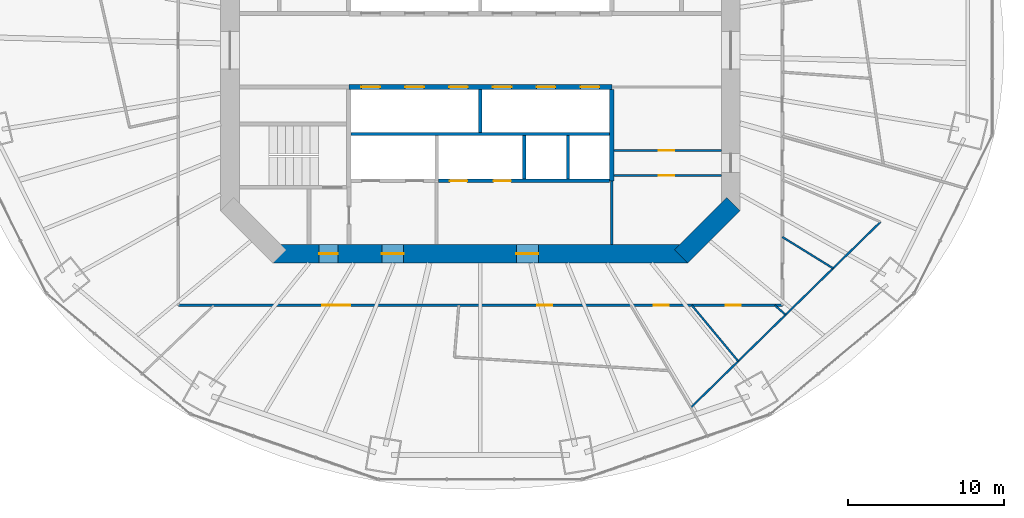
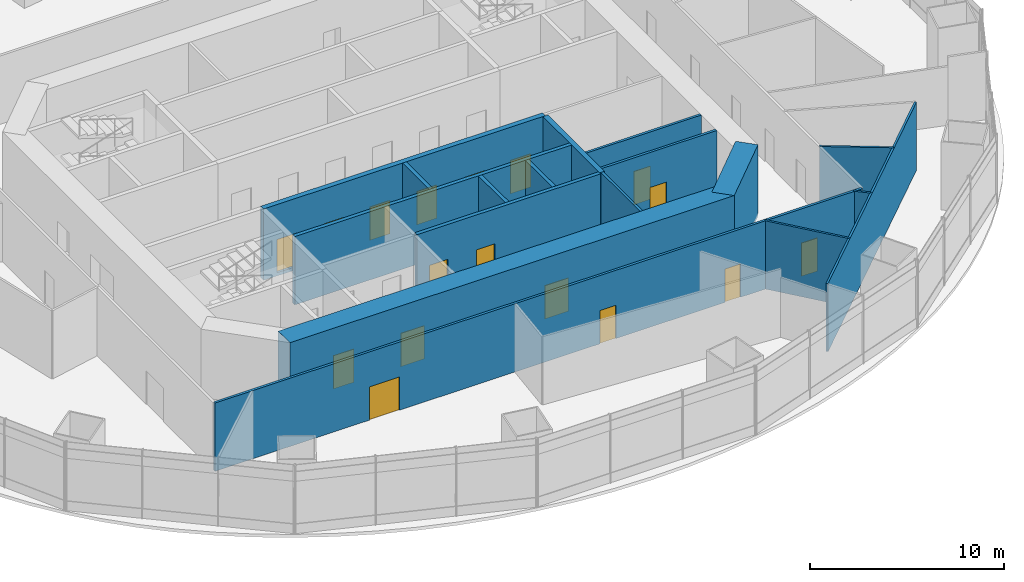
# One storey, part 14 of 17: 17 doors, 17 walls, 17 openings.
"""IFC4 building model written with IfcOpenShell, lengths in metres."""

import ifcopenshell
import ifcopenshell.guid

model = None  # the IFC model being written
_history = None  # IfcOwnerHistory: only IFC2X3 demands one
_inside = {}  # id of a spatial element -> (the spatial element, [elements in it])
_under = {}  # id of a project, library or spatial element -> (it, [spatial elements below it])
_declared = {}  # id of a project -> (the project, [libraries it declares])
_typed = {}  # id of a type object -> (the type object, [elements of that type])
_made_of = {}  # id of a material, layer set ... -> (it, [elements and type objects made of it])


def new_model(schema):
    """Start an empty IFC model of exactly this schema.

    Asked for "IFC4X3", IfcOpenShell would pick the latest addendum, in which some entities
    have other attributes; the version numbers below select the first issue.
    IFC2X3 requires an IfcOwnerHistory on every rooted entity: one is made here for all.
    """
    global model, _history
    if schema == "IFC4X3":
        model = ifcopenshell.file(schema_version=(4, 3, 0, 0))
    else:
        model = ifcopenshell.file(schema=schema)
    _inside.clear()
    _under.clear()
    _declared.clear()
    _typed.clear()
    _made_of.clear()
    _history = None
    if model.schema == "IFC2X3":
        org = make("IfcOrganization", Name="unknown")
        user = make(
            "IfcPersonAndOrganization",
            ThePerson=make("IfcPerson", FamilyName="unknown"),
            TheOrganization=org,
        )
        app = make(
            "IfcApplication",
            ApplicationDeveloper=org,
            Version="unknown",
            ApplicationFullName="unknown",
            ApplicationIdentifier="unknown",
        )
        _history = make(
            "IfcOwnerHistory",
            OwningUser=user,
            OwningApplication=app,
            ChangeAction="ADDED",
            CreationDate=0,
        )
    return model


def make(cls, **values):
    """One entity of the class cls with the attributes given. An attribute that is None is left unset."""
    return model.create_entity(
        cls, **{name: value for name, value in values.items() if value is not None}
    )


def rooted(cls, **values):
    """An entity with a GlobalId (a new one), such as an element, a storey or a relation."""
    return make(cls, GlobalId=ifcopenshell.guid.new(), OwnerHistory=_history, **values)


def si_unit(unit_type, name, prefix=None):
    """IfcSIUnit, for example si_unit("LENGTHUNIT", "METRE", prefix="MILLI")."""
    return make("IfcSIUnit", UnitType=unit_type, Prefix=prefix, Name=name)


def assignment(units):
    """IfcUnitAssignment: the units of a project."""
    return None if units is None else make("IfcUnitAssignment", Units=units)


def point(xyz):
    """IfcCartesianPoint."""
    return None if xyz is None else make("IfcCartesianPoint", Coordinates=xyz)


def direction(xyz):
    """IfcDirection."""
    return None if xyz is None else make("IfcDirection", DirectionRatios=xyz)


def frame(location, z_axis=None, x_axis=None):
    """IfcAxis2Placement3D, a coordinate frame: its origin and axes. An axis left out is left unset."""
    return make(
        "IfcAxis2Placement3D",
        Location=point(location),
        Axis=direction(z_axis),
        RefDirection=direction(x_axis),
    )


def frame_2d(location, x_axis=None):
    """IfcAxis2Placement2D, a coordinate frame in the plane: its origin and x axis."""
    return make(
        "IfcAxis2Placement2D", Location=point(location), RefDirection=direction(x_axis)
    )


def origin():
    """The frame at (0, 0, 0) with its axes left unset."""
    return frame((0.0, 0.0, 0.0))


def place(relative_to, where):
    """IfcLocalPlacement: puts the frame where relative to a parent placement (None: the world)."""
    return make(
        "IfcLocalPlacement", PlacementRelTo=relative_to, RelativePlacement=where
    )


def context(
    kind, dimensions, precision=None, world=None, true_north=None, identifier=None
):
    """IfcGeometricRepresentationContext, for example the 3D "Model" context."""
    return make(
        "IfcGeometricRepresentationContext",
        ContextIdentifier=identifier,
        ContextType=kind,
        CoordinateSpaceDimension=dimensions,
        Precision=precision,
        WorldCoordinateSystem=world,
        TrueNorth=true_north,
    )


def subcontext(parent, identifier, kind, view, scale=None):
    """IfcGeometricRepresentationSubContext, for example "Body" below "Model"."""
    return make(
        "IfcGeometricRepresentationSubContext",
        ContextIdentifier=identifier,
        ContextType=kind,
        ParentContext=parent,
        TargetScale=scale,
        TargetView=view,
    )


def project(units=None, contexts=None):
    """IfcProject with its units and contexts."""
    return rooted(
        "IfcProject",
        Name="project",
        RepresentationContexts=contexts,
        UnitsInContext=assignment(units),
    )


def spatial(cls, under=None, at=None, **own):
    """A site, building, storey or space (cls), placed at a placement, below another one or the project."""
    s = rooted(cls, ObjectPlacement=at, **own)
    if under is not None:
        _under.setdefault(under.id(), (under, []))[1].append(s)
    return s


def profile(cls, at=None, kind="AREA", **sizes):
    """A parametric profile (cls). Its sizes go by their IFC names, for example OverallWidth=200.0."""
    return make(cls, ProfileType=kind, Position=at, **sizes)


def rectangle(**sizes):
    """IfcRectangleProfileDef."""
    return profile("IfcRectangleProfileDef", **sizes)


def extrude(swept, where, along, depth):
    """IfcExtrudedAreaSolid: the profile swept, set in the frame where, extruded along a direction by depth."""
    return make(
        "IfcExtrudedAreaSolid",
        SweptArea=swept,
        Position=where,
        ExtrudedDirection=direction(along),
        Depth=depth,
    )


def shape(context_of_items, identifier, shape_type, items):
    """IfcShapeRepresentation: the items that make up one representation, for example the "Body"."""
    return make(
        "IfcShapeRepresentation",
        ContextOfItems=context_of_items,
        RepresentationIdentifier=identifier,
        RepresentationType=shape_type,
        Items=items,
    )


def material(Name=None, Category=None):
    """IfcMaterial."""
    return make("IfcMaterial", Name=Name, Category=Category)


def layer(
    of_material, thickness, ventilated=None, Name=None, Category=None, Priority=None
):
    """IfcMaterialLayer: one layer of a wall or slab, of a material (None: an air gap)."""
    return make(
        "IfcMaterialLayer",
        Material=of_material,
        LayerThickness=thickness,
        IsVentilated=ventilated,
        Name=Name,
        Category=Category,
        Priority=Priority,
    )


def layer_set(layers, Name=None):
    """IfcMaterialLayerSet."""
    return make("IfcMaterialLayerSet", MaterialLayers=layers, LayerSetName=Name)


def made_of(thing, what):
    """Note that an element or type object is made of a material, layer set ...; save() writes the relation."""
    if what is not None:
        _made_of.setdefault(what.id(), (what, []))[1].append(thing)
    return thing


def type_object(cls, material=None, **own):
    """A type object (cls), such as IfcWallType, which elements share."""
    return made_of(rooted(cls, **own), material)


def element(
    cls,
    number,
    at=None,
    inside=None,
    cuts=None,
    type_object=None,
    material=None,
    context=None,
    identifier="Body",
    shape_type=None,
    held_by="IfcProductDefinitionShape",
    body=None,
    shapes=None,
    **own,
):
    """One element of the class cls, such as IfcWall. Its Tag is "e" and its number.

    at: its placement. inside: the storey or other place that contains it. cuts: it is an
    opening in that element (IfcRelVoidsElement). A single representation is given by context,
    identifier, shape_type and body (its items); several are given by shapes. held_by: the class
    of the entity that holds the representations. save() writes the other relations.
    """
    e = rooted(cls, Tag="e%d" % number, ObjectPlacement=at, **own)
    if body is not None:
        shapes = [shape(context, identifier, shape_type, body)]
    if shapes is not None:
        e.Representation = make(held_by, Representations=shapes)
    if inside is not None:
        _inside.setdefault(inside.id(), (inside, []))[1].append(e)
    if cuts is not None:
        rooted(
            "IfcRelVoidsElement", RelatingBuildingElement=cuts, RelatedOpeningElement=e
        )
    if type_object is not None:
        _typed.setdefault(type_object.id(), (type_object, []))[1].append(e)
    return made_of(e, material)


def fill(opening, filler):
    """IfcRelFillsElement: the door or window that sits in an opening."""
    return rooted(
        "IfcRelFillsElement",
        RelatingOpeningElement=opening,
        RelatedBuildingElement=filler,
    )


def aggregate(whole, parts):
    """IfcRelAggregates: a whole, such as a stair, and the parts it consists of."""
    return rooted("IfcRelAggregates", RelatingObject=whole, RelatedObjects=parts)


def save(model, path):
    """Write the relations noted so far, then the file.

    IfcRelAggregates (storeys below a building ...), IfcRelContainedInSpatialStructure (elements
    in a storey), IfcRelDefinesByType, IfcRelAssociatesMaterial and IfcRelDeclares: one each for
    every whole, place, type object, material and project.
    """
    for whole, parts in _under.values():
        aggregate(whole, parts)
    for where, things in _inside.values():
        rooted(
            "IfcRelContainedInSpatialStructure",
            RelatedElements=things,
            RelatingStructure=where,
        )
    for kind, things in _typed.values():
        rooted("IfcRelDefinesByType", RelatedObjects=things, RelatingType=kind)
    for what, things in _made_of.values():
        rooted("IfcRelAssociatesMaterial", RelatedObjects=things, RelatingMaterial=what)
    for by, libraries in _declared.values():
        rooted("IfcRelDeclares", RelatingContext=by, RelatedDefinitions=libraries)
    model.write(path)


model = new_model("IFC4")

# Units and contexts
model_context = context("Model", 3, precision=1e-05, world=origin(), true_north=direction((0.0, 1.0)))
body_context = subcontext(model_context, "Body", "Model", "MODEL_VIEW")
ifc_project = project(units=[si_unit("LENGTHUNIT", "METRE"), si_unit("AREAUNIT", "SQUARE_METRE"), si_unit("VOLUMEUNIT", "CUBIC_METRE"), si_unit("PLANEANGLEUNIT", "RADIAN"), si_unit("MASSUNIT", "GRAM", prefix="KILO")], contexts=[model_context])

# Site, building, storey
site_placement = place(None, origin())
site = spatial("IfcSite", under=ifc_project, at=site_placement, CompositionType="ELEMENT")
building_placement = place(site_placement, origin())
building = spatial("IfcBuilding", under=site, at=building_placement, Name="Marenthal Gate Tower", CompositionType="ELEMENT")
storey_placement = place(building_placement, frame((0.0, 0.0, 145.050048828125)))
storey = spatial("IfcBuildingStorey", under=building, at=storey_placement, Name="L31", CompositionType="ELEMENT", Elevation=145.050048828125)

# Wall
ifc_material_1 = material(Name="Concrete 60 MPa", Category="concrete")
ifc_layer_1 = layer(ifc_material_1, 1.199951171875)
ifc_layer_set_1 = layer_set([ifc_layer_1], Name="Core shear wall 1200")
wall_type_1 = type_object("IfcWallType", Name="Core shear wall 1200", PredefinedType="SHEAR", material=ifc_layer_set_1)
wall_1_placement = place(storey_placement, frame((12.82421875, -13.17578125, -0.199951171875), z_axis=(0.0, 0.0, 1.0), x_axis=(0.707106781187, 0.707106781187, 0.0)))
element("IfcWall", 1, at=wall_1_placement, inside=storey, type_object=wall_type_1, Name="Core wall 01", PredefinedType="SHEAR", context=body_context, shape_type="SweptSolid", body=[
    extrude(rectangle(XDim=4.73974609375, YDim=1.199951171875, at=frame_2d((2.369873046875, 0.0))), origin(), (0.0, 0.0, 1.0), 4.5),
])

# Wall, openings, doors
wall_2_placement = place(storey_placement, frame((-13.24853515625, -13.0, -0.199951171875), z_axis=(0.0, 0.0, 1.0), x_axis=(1.0, 0.0, 0.0)))
wall_2 = element("IfcWall", 2, at=wall_2_placement, inside=storey, type_object=wall_type_1, Name="Core wall 08", PredefinedType="SHEAR", context=body_context, shape_type="SweptSolid", body=[
    extrude(rectangle(XDim=26.4970703125, YDim=1.199951171875, at=frame_2d((13.24853515625, 0.0))), origin(), (0.0, 0.0, 1.0), 4.5),
])
opening_1_placement = place(wall_2_placement, frame((2.948486328125, 0.0, 0.199951171875)))
opening_1 = element("IfcOpeningElement", 3, at=opening_1_placement, cuts=wall_2, Name="Opening D001.06", PredefinedType="OPENING", context=body_context, shape_type="SweptSolid", body=[
    extrude(rectangle(XDim=1.199951171875, YDim=2.10009765625, at=frame_2d((0.60009765625, 1.050048828125))), frame((0.0, 0.60986328125, 0.0), z_axis=(0.0, -1.0, 0.0), x_axis=(1.0, 0.0, 0.0)), (0.0, 0.0, 1.0), 1.219970703125),
])
opening_2_placement = place(wall_2_placement, frame((6.948486328125, 0.0, 0.199951171875)))
opening_2 = element("IfcOpeningElement", 4, at=opening_2_placement, cuts=wall_2, Name="Opening D004.01", PredefinedType="OPENING", context=body_context, shape_type="SweptSolid", body=[
    extrude(rectangle(XDim=1.39990234375, YDim=2.10009765625, at=frame_2d((0.699951171875, 1.050048828125))), frame((0.0, 0.60986328125, 0.0), z_axis=(0.0, -1.0, 0.0), x_axis=(1.0, 0.0, 0.0)), (0.0, 0.0, 1.0), 1.219970703125),
])
opening_3_placement = place(wall_2_placement, frame((15.548583984375, 0.0, 0.199951171875)))
opening_3 = element("IfcOpeningElement", 5, at=opening_3_placement, cuts=wall_2, Name="Opening D004.02", PredefinedType="OPENING", context=body_context, shape_type="SweptSolid", body=[
    extrude(rectangle(XDim=1.39990234375, YDim=2.10009765625, at=frame_2d((0.699951171875, 1.050048828125))), frame((0.0, 0.60986328125, 0.0), z_axis=(0.0, -1.0, 0.0), x_axis=(1.0, 0.0, 0.0)), (0.0, 0.0, 1.0), 1.219970703125),
])
ifc_material_2 = material(Name="Steel fire door", Category="steel")
door_type_1 = type_object("IfcDoorType", Name="Fire door FD 45 1400 x 2100", OperationType="NOTDEFINED", PredefinedType="DOOR", material=ifc_material_2)
door_1_placement = place(opening_2_placement, origin())
door_1 = element("IfcDoor", 6, at=door_1_placement, inside=storey, type_object=door_type_1, Name="Door D004.01", OperationType="SINGLE_SWING_RIGHT", OverallHeight=2.10009765625, OverallWidth=1.39990234375, PredefinedType="DOOR", context=body_context, shape_type="SweptSolid", body=[
    extrude(rectangle(XDim=1.39990234375, YDim=2.10009765625, at=frame_2d((0.699951171875, 1.050048828125))), frame((0.0, 0.02490234375, 0.0), z_axis=(0.0, -1.0, 0.0), x_axis=(1.0, 0.0, 0.0)), (0.0, 0.0, 1.0), 0.050048828125),
])
fill(opening_2, door_1)
door_2_placement = place(opening_3_placement, origin())
door_2 = element("IfcDoor", 7, at=door_2_placement, inside=storey, type_object=door_type_1, Name="Door D004.02", OperationType="SINGLE_SWING_RIGHT", OverallHeight=2.10009765625, OverallWidth=1.39990234375, PredefinedType="DOOR", context=body_context, shape_type="SweptSolid", body=[
    extrude(rectangle(XDim=1.39990234375, YDim=2.10009765625, at=frame_2d((0.699951171875, 1.050048828125))), frame((0.0, 0.02490234375, 0.0), z_axis=(0.0, -1.0, 0.0), x_axis=(1.0, 0.0, 0.0)), (0.0, 0.0, 1.0), 0.050048828125),
])
fill(opening_3, door_2)
ifc_material_3 = material(Name="Steel fire door", Category="steel")
door_type_2 = type_object("IfcDoorType", Name="Fire door FD 90 1200 x 2100", OperationType="NOTDEFINED", PredefinedType="DOOR", material=ifc_material_3)
door_3_placement = place(opening_1_placement, origin())
door_3 = element("IfcDoor", 8, at=door_3_placement, inside=storey, type_object=door_type_2, Name="Door D001.06", OperationType="SINGLE_SWING_RIGHT", OverallHeight=2.10009765625, OverallWidth=1.199951171875, PredefinedType="DOOR", context=body_context, shape_type="SweptSolid", body=[
    extrude(rectangle(XDim=1.199951171875, YDim=2.10009765625, at=frame_2d((0.60009765625, 1.050048828125))), frame((0.0, 0.02490234375, 0.0), z_axis=(0.0, -1.0, 0.0), x_axis=(1.0, 0.0, 0.0)), (0.0, 0.0, 1.0), 0.050048828125),
])
fill(opening_1, door_3)

ifc_material_4 = material(Name="Concrete 50 MPa", Category="concrete")
ifc_layer_2 = layer(ifc_material_4, 0.300048828125)
ifc_layer_set_2 = layer_set([ifc_layer_2], Name="Hoistway shear wall 300")
wall_type_2 = type_object("IfcWallType", Name="Hoistway shear wall 300", PredefinedType="SHEAR", material=ifc_layer_set_2)
wall_3_placement = place(storey_placement, frame((-8.39990234375, -2.35009765625, -0.199951171875), z_axis=(0.0, 0.0, 1.0), x_axis=(1.0, 0.0, 0.0)))
wall_3 = element("IfcWall", 9, at=wall_3_placement, inside=storey, type_object=wall_type_2, Name="Hoistway wall 17", PredefinedType="SHEAR", context=body_context, shape_type="SweptSolid", body=[
    extrude(rectangle(XDim=16.7998046875, YDim=0.300048828125, at=frame_2d((8.39990234375, 0.0))), origin(), (0.0, 0.0, 1.0), 4.5),
])
opening_4_placement = place(wall_3_placement, frame((0.800048828125, 0.0, 0.199951171875)))
opening_4 = element("IfcOpeningElement", 10, at=opening_4_placement, cuts=wall_3, Name="Opening LD-LP7", PredefinedType="OPENING", context=body_context, shape_type="SweptSolid", body=[
    extrude(rectangle(XDim=1.199951171875, YDim=2.10009765625, at=frame_2d((0.60009765625, 1.050048828125))), frame((0.0, 0.16015625, 0.0), z_axis=(0.0, -1.0, 0.0), x_axis=(1.0, 0.0, 0.0)), (0.0, 0.0, 1.0), 0.320068359375),
])
opening_5_placement = place(wall_3_placement, frame((3.60009765625, 0.0, 0.199951171875)))
opening_5 = element("IfcOpeningElement", 11, at=opening_5_placement, cuts=wall_3, Name="Opening LD-LP8", PredefinedType="OPENING", context=body_context, shape_type="SweptSolid", body=[
    extrude(rectangle(XDim=1.199951171875, YDim=2.10009765625, at=frame_2d((0.60009765625, 1.050048828125))), frame((0.0, 0.16015625, 0.0), z_axis=(0.0, -1.0, 0.0), x_axis=(1.0, 0.0, 0.0)), (0.0, 0.0, 1.0), 0.320068359375),
])
opening_6_placement = place(wall_3_placement, frame((6.39990234375, 0.0, 0.199951171875)))
opening_6 = element("IfcOpeningElement", 12, at=opening_6_placement, cuts=wall_3, Name="Opening LD-LP9", PredefinedType="OPENING", context=body_context, shape_type="SweptSolid", body=[
    extrude(rectangle(XDim=1.199951171875, YDim=2.10009765625, at=frame_2d((0.60009765625, 1.050048828125))), frame((0.0, 0.16015625, 0.0), z_axis=(0.0, -1.0, 0.0), x_axis=(1.0, 0.0, 0.0)), (0.0, 0.0, 1.0), 0.320068359375),
])
opening_7_placement = place(wall_3_placement, frame((9.199951171875, 0.0, 0.199951171875)))
opening_7 = element("IfcOpeningElement", 13, at=opening_7_placement, cuts=wall_3, Name="Opening LD-LP10", PredefinedType="OPENING", context=body_context, shape_type="SweptSolid", body=[
    extrude(rectangle(XDim=1.199951171875, YDim=2.10009765625, at=frame_2d((0.60009765625, 1.050048828125))), frame((0.0, 0.16015625, 0.0), z_axis=(0.0, -1.0, 0.0), x_axis=(1.0, 0.0, 0.0)), (0.0, 0.0, 1.0), 0.320068359375),
])
opening_8_placement = place(wall_3_placement, frame((12.0, 0.0, 0.199951171875)))
opening_8 = element("IfcOpeningElement", 14, at=opening_8_placement, cuts=wall_3, Name="Opening LD-LP11", PredefinedType="OPENING", context=body_context, shape_type="SweptSolid", body=[
    extrude(rectangle(XDim=1.199951171875, YDim=2.10009765625, at=frame_2d((0.60009765625, 1.050048828125))), frame((0.0, 0.16015625, 0.0), z_axis=(0.0, -1.0, 0.0), x_axis=(1.0, 0.0, 0.0)), (0.0, 0.0, 1.0), 0.320068359375),
])
opening_9_placement = place(wall_3_placement, frame((14.800048828125, 0.0, 0.199951171875)))
opening_9 = element("IfcOpeningElement", 15, at=opening_9_placement, cuts=wall_3, Name="Opening LD-LP12", PredefinedType="OPENING", context=body_context, shape_type="SweptSolid", body=[
    extrude(rectangle(XDim=1.199951171875, YDim=2.10009765625, at=frame_2d((0.60009765625, 1.050048828125))), frame((0.0, 0.16015625, 0.0), z_axis=(0.0, -1.0, 0.0), x_axis=(1.0, 0.0, 0.0)), (0.0, 0.0, 1.0), 0.320068359375),
])
ifc_material_5 = material(Name="Stainless steel sliding door", Category="steel")
door_type_3 = type_object("IfcDoorType", Name="Lift landing door FD 90 1200 x 2100", OperationType="DOUBLE_DOOR_SLIDING", PredefinedType="DOOR", material=ifc_material_5)
door_4_placement = place(opening_4_placement, origin())
door_4 = element("IfcDoor", 16, at=door_4_placement, inside=storey, type_object=door_type_3, Name="Lift landing door LP7", OperationType="DOUBLE_DOOR_SLIDING", OverallHeight=2.10009765625, OverallWidth=1.199951171875, PredefinedType="DOOR", context=body_context, shape_type="SweptSolid", body=[
    extrude(rectangle(XDim=1.199951171875, YDim=2.10009765625, at=frame_2d((0.60009765625, 1.050048828125))), frame((0.0, 0.02490234375, 0.0), z_axis=(0.0, -1.0, 0.0), x_axis=(1.0, 0.0, 0.0)), (0.0, 0.0, 1.0), 0.050048828125),
])
fill(opening_4, door_4)
door_5_placement = place(opening_5_placement, origin())
door_5 = element("IfcDoor", 17, at=door_5_placement, inside=storey, type_object=door_type_3, Name="Lift landing door LP8", OperationType="DOUBLE_DOOR_SLIDING", OverallHeight=2.10009765625, OverallWidth=1.199951171875, PredefinedType="DOOR", context=body_context, shape_type="SweptSolid", body=[
    extrude(rectangle(XDim=1.199951171875, YDim=2.10009765625, at=frame_2d((0.60009765625, 1.050048828125))), frame((0.0, 0.02490234375, 0.0), z_axis=(0.0, -1.0, 0.0), x_axis=(1.0, 0.0, 0.0)), (0.0, 0.0, 1.0), 0.050048828125),
])
fill(opening_5, door_5)
door_6_placement = place(opening_6_placement, origin())
door_6 = element("IfcDoor", 18, at=door_6_placement, inside=storey, type_object=door_type_3, Name="Lift landing door LP9", OperationType="DOUBLE_DOOR_SLIDING", OverallHeight=2.10009765625, OverallWidth=1.199951171875, PredefinedType="DOOR", context=body_context, shape_type="SweptSolid", body=[
    extrude(rectangle(XDim=1.199951171875, YDim=2.10009765625, at=frame_2d((0.60009765625, 1.050048828125))), frame((0.0, 0.02490234375, 0.0), z_axis=(0.0, -1.0, 0.0), x_axis=(1.0, 0.0, 0.0)), (0.0, 0.0, 1.0), 0.050048828125),
])
fill(opening_6, door_6)
door_7_placement = place(opening_7_placement, origin())
door_7 = element("IfcDoor", 19, at=door_7_placement, inside=storey, type_object=door_type_3, Name="Lift landing door LP10", OperationType="DOUBLE_DOOR_SLIDING", OverallHeight=2.10009765625, OverallWidth=1.199951171875, PredefinedType="DOOR", context=body_context, shape_type="SweptSolid", body=[
    extrude(rectangle(XDim=1.199951171875, YDim=2.10009765625, at=frame_2d((0.60009765625, 1.050048828125))), frame((0.0, 0.02490234375, 0.0), z_axis=(0.0, -1.0, 0.0), x_axis=(1.0, 0.0, 0.0)), (0.0, 0.0, 1.0), 0.050048828125),
])
fill(opening_7, door_7)
door_8_placement = place(opening_8_placement, origin())
door_8 = element("IfcDoor", 20, at=door_8_placement, inside=storey, type_object=door_type_3, Name="Lift landing door LP11", OperationType="DOUBLE_DOOR_SLIDING", OverallHeight=2.10009765625, OverallWidth=1.199951171875, PredefinedType="DOOR", context=body_context, shape_type="SweptSolid", body=[
    extrude(rectangle(XDim=1.199951171875, YDim=2.10009765625, at=frame_2d((0.60009765625, 1.050048828125))), frame((0.0, 0.02490234375, 0.0), z_axis=(0.0, -1.0, 0.0), x_axis=(1.0, 0.0, 0.0)), (0.0, 0.0, 1.0), 0.050048828125),
])
fill(opening_8, door_8)
door_9_placement = place(opening_9_placement, origin())
door_9 = element("IfcDoor", 21, at=door_9_placement, inside=storey, type_object=door_type_3, Name="Lift landing door LP12", OperationType="DOUBLE_DOOR_SLIDING", OverallHeight=2.10009765625, OverallWidth=1.199951171875, PredefinedType="DOOR", context=body_context, shape_type="SweptSolid", body=[
    extrude(rectangle(XDim=1.199951171875, YDim=2.10009765625, at=frame_2d((0.60009765625, 1.050048828125))), frame((0.0, 0.02490234375, 0.0), z_axis=(0.0, -1.0, 0.0), x_axis=(1.0, 0.0, 0.0)), (0.0, 0.0, 1.0), 0.050048828125),
])
fill(opening_9, door_9)

# Wall
wall_4_placement = place(storey_placement, frame((8.39990234375, -8.35009765625, -0.199951171875), z_axis=(0.0, 0.0, 1.0), x_axis=(0.0, 1.0, 0.0)))
element("IfcWall", 22, at=wall_4_placement, inside=storey, type_object=wall_type_2, Name="Hoistway wall 43", PredefinedType="SHEAR", context=body_context, shape_type="SweptSolid", body=[
    extrude(rectangle(XDim=5.85009765625, YDim=0.300048828125, at=frame_2d((2.925048828125, 0.0))), origin(), (0.0, 0.0, 1.0), 4.5),
])

# Wall, openings, doors
ifc_material_6 = material(Name="Concrete 40 MPa", Category="concrete")
ifc_layer_3 = layer(ifc_material_6, 0.219970703125)
ifc_layer_set_3 = layer_set([ifc_layer_3], Name="Hoistway wall 220")
wall_type_3 = type_object("IfcWallType", Name="Hoistway wall 220", PredefinedType="STANDARD", material=ifc_layer_set_3)
wall_5_placement = place(storey_placement, frame((-2.68994140625, -8.35009765625, 0.0), z_axis=(0.0, 0.0, 1.0), x_axis=(1.0, 0.0, 0.0)))
wall_5 = element("IfcWall", 23, at=wall_5_placement, inside=storey, type_object=wall_type_3, Name="Hoistway wall 11", PredefinedType="STANDARD", context=body_context, shape_type="SweptSolid", body=[
    extrude(rectangle(XDim=10.93994140625, YDim=0.219970703125, at=frame_2d((5.469970703125, 0.0))), origin(), (0.0, 0.0, 1.0), 4.300048828125),
])
opening_10_placement = place(wall_5_placement, frame((0.739990234375, 0.0, 0.0)))
opening_10 = element("IfcOpeningElement", 24, at=opening_10_placement, cuts=wall_5, Name="Opening LD-SV1", PredefinedType="OPENING", context=body_context, shape_type="SweptSolid", body=[
    extrude(rectangle(XDim=1.10009765625, YDim=2.10009765625, at=frame_2d((0.550048828125, 1.050048828125))), frame((0.0, 0.1201171875, 0.0), z_axis=(0.0, -1.0, 0.0), x_axis=(1.0, 0.0, 0.0)), (0.0, 0.0, 1.0), 0.239990234375),
])
opening_11_placement = place(wall_5_placement, frame((3.5400390625, 0.0, 0.0)))
opening_11 = element("IfcOpeningElement", 25, at=opening_11_placement, cuts=wall_5, Name="Opening LD-SV2", PredefinedType="OPENING", context=body_context, shape_type="SweptSolid", body=[
    extrude(rectangle(XDim=1.10009765625, YDim=2.10009765625, at=frame_2d((0.550048828125, 1.050048828125))), frame((0.0, 0.1201171875, 0.0), z_axis=(0.0, -1.0, 0.0), x_axis=(1.0, 0.0, 0.0)), (0.0, 0.0, 1.0), 0.239990234375),
])
ifc_material_7 = material(Name="Stainless steel sliding door", Category="steel")
door_type_4 = type_object("IfcDoorType", Name="Lift landing door FD 90 1100 x 2100", OperationType="DOUBLE_DOOR_SLIDING", PredefinedType="DOOR", material=ifc_material_7)
door_10_placement = place(opening_10_placement, origin())
door_10 = element("IfcDoor", 26, at=door_10_placement, inside=storey, type_object=door_type_4, Name="Lift landing door SV1", OperationType="DOUBLE_DOOR_SLIDING", OverallHeight=2.10009765625, OverallWidth=1.10009765625, PredefinedType="DOOR", context=body_context, shape_type="SweptSolid", body=[
    extrude(rectangle(XDim=1.10009765625, YDim=2.10009765625, at=frame_2d((0.550048828125, 1.050048828125))), frame((0.0, 0.02490234375, 0.0), z_axis=(0.0, -1.0, 0.0), x_axis=(1.0, 0.0, 0.0)), (0.0, 0.0, 1.0), 0.050048828125),
])
fill(opening_10, door_10)
door_11_placement = place(opening_11_placement, origin())
door_11 = element("IfcDoor", 27, at=door_11_placement, inside=storey, type_object=door_type_4, Name="Lift landing door SV2", OperationType="DOUBLE_DOOR_SLIDING", OverallHeight=2.10009765625, OverallWidth=1.10009765625, PredefinedType="DOOR", context=body_context, shape_type="SweptSolid", body=[
    extrude(rectangle(XDim=1.10009765625, YDim=2.10009765625, at=frame_2d((0.550048828125, 1.050048828125))), frame((0.0, 0.02490234375, 0.0), z_axis=(0.0, -1.0, 0.0), x_axis=(1.0, 0.0, 0.0)), (0.0, 0.0, 1.0), 0.050048828125),
])
fill(opening_11, door_11)

# Walls
wall_6_placement = place(storey_placement, frame((-8.25, -5.35009765625, 0.0), z_axis=(0.0, 0.0, 1.0), x_axis=(1.0, 0.0, 0.0)))
element("IfcWall", 28, at=wall_6_placement, inside=storey, type_object=wall_type_3, Name="Hoistway wall 14", PredefinedType="STANDARD", context=body_context, shape_type="SweptSolid", body=[
    extrude(rectangle(XDim=16.5, YDim=0.219970703125, at=frame_2d((8.25, 0.0))), origin(), (0.0, 0.0, 1.0), 4.300048828125),
])
wall_7_placement = place(storey_placement, frame((0.0, -5.239990234375, 0.0), z_axis=(0.0, 0.0, 1.0), x_axis=(0.0, 1.0, 0.0)))
element("IfcWall", 29, at=wall_7_placement, inside=storey, type_object=wall_type_3, Name="Hoistway wall 37", PredefinedType="STANDARD", context=body_context, shape_type="SweptSolid", body=[
    extrude(rectangle(XDim=2.739990234375, YDim=0.219970703125, at=frame_2d((1.3701171875, 0.0))), origin(), (0.0, 0.0, 1.0), 4.300048828125),
])
for number, where, z_axis, x_axis, name in (
    (30, (2.800048828125, -8.239990234375, 0.0), (0.0, 0.0, 1.0), (0.0, 1.0, 0.0), "Hoistway wall 39"),
    (31, (5.60009765625, -8.239990234375, 0.0), (0.0, 0.0, 1.0), (0.0, 1.0, 0.0), "Hoistway wall 41"),
):
    element("IfcWall", number, at=place(storey_placement, frame(where, z_axis=z_axis, x_axis=x_axis)), inside=storey, type_object=wall_type_3, Name=name, PredefinedType="STANDARD", context=body_context, shape_type="SweptSolid", body=[
        extrude(rectangle(XDim=2.780029296875, YDim=0.219970703125, at=frame_2d((1.39013671875, 0.0))), origin(), (0.0, 0.0, 1.0), 4.300048828125),
    ])
ifc_material_8 = material(Name="Gypsum board on steel studs", Category="steel")
ifc_layer_4 = layer(ifc_material_8, 0.1201171875)
ifc_layer_set_4 = layer_set([ifc_layer_4], Name="Partition 120")
wall_type_4 = type_object("IfcWallType", Name="Partition 120", PredefinedType="PARTITIONING", material=ifc_layer_set_4)
wall_8_placement = place(storey_placement, frame((13.44580078125, -22.8359375, 0.0), z_axis=(0.0, 0.0, 1.0), x_axis=(0.714591635615, 0.699541846003, 0.0)))
element("IfcWall", 32, at=wall_8_placement, inside=storey, type_object=wall_type_4, Name="Partition wall 57", PredefinedType="PARTITIONING", context=body_context, shape_type="SweptSolid", body=[
    extrude(rectangle(XDim=16.968505859375, YDim=0.1201171875, at=frame_2d((8.484375, 0.0))), origin(), (0.0, 0.0, 1.0), 4.300048828125),
])
wall_9_placement = place(storey_placement, frame((16.47705078125, -19.868408203125, 0.0), z_axis=(0.0, 0.0, 1.0), x_axis=(-0.638348808276, 0.769747230572, 0.0)))
element("IfcWall", 33, at=wall_9_placement, inside=storey, type_object=wall_type_4, Name="Partition wall 58", PredefinedType="PARTITIONING", context=body_context, shape_type="SweptSolid", body=[
    extrude(rectangle(XDim=4.6357421875, YDim=0.1201171875, at=frame_2d((2.31787109375, 0.0))), origin(), (0.0, 0.0, 1.0), 4.300048828125),
])
wall_10_placement = place(storey_placement, frame((19.508544921875, -16.90087890625, 0.0), z_axis=(0.0, 0.0, 1.0), x_axis=(-0.755847069983, 0.654748201066, 0.0)))
element("IfcWall", 34, at=wall_10_placement, inside=storey, type_object=wall_type_4, Name="Partition wall 63", PredefinedType="PARTITIONING", context=body_context, shape_type="SweptSolid", body=[
    extrude(rectangle(XDim=0.917724609375, YDim=0.1201171875, at=frame_2d((0.458984375, 0.0))), origin(), (0.0, 0.0, 1.0), 4.300048828125),
])
wall_11_placement = place(storey_placement, frame((22.539794921875, -13.933349609375, 0.0), z_axis=(0.0, 0.0, 1.0), x_axis=(-0.850602388352, 0.525809449258, 0.0)))
element("IfcWall", 35, at=wall_11_placement, inside=storey, type_object=wall_type_4, Name="Partition wall 64", PredefinedType="PARTITIONING", context=body_context, shape_type="SweptSolid", body=[
    extrude(rectangle(XDim=3.808837890625, YDim=0.1201171875, at=frame_2d((1.904296875, 0.0))), origin(), (0.0, 0.0, 1.0), 4.300048828125),
])

# Wall, opening, door
ifc_material_9 = material(Name="Gypsum board on steel studs", Category="steel")
ifc_layer_5 = layer(ifc_material_9, 0.14990234375)
ifc_layer_set_5 = layer_set([ifc_layer_5], Name="Partition 150")
wall_type_5 = type_object("IfcWallType", Name="Partition 150", PredefinedType="PARTITIONING", material=ifc_layer_set_5)
wall_12_placement = place(storey_placement, frame((8.550048828125, -8.0, 0.0), z_axis=(0.0, 0.0, 1.0), x_axis=(1.0, 0.0, 0.0)))
wall_12 = element("IfcWall", 36, at=wall_12_placement, inside=storey, type_object=wall_type_5, Name="Partition wall 12", PredefinedType="PARTITIONING", context=body_context, shape_type="SweptSolid", body=[
    extrude(rectangle(XDim=6.849853515625, YDim=0.14990234375, at=frame_2d((3.4248046875, 0.0))), origin(), (0.0, 0.0, 1.0), 4.300048828125),
])
opening_12_placement = place(wall_12_placement, frame((2.85009765625, 0.0, 0.0)))
opening_12 = element("IfcOpeningElement", 37, at=opening_12_placement, cuts=wall_12, Name="Opening D005.04", PredefinedType="OPENING", context=body_context, shape_type="SweptSolid", body=[
    extrude(rectangle(XDim=1.0, YDim=2.10009765625, at=frame_2d((0.5, 1.050048828125))), frame((0.0, 0.0849609375, 0.0), z_axis=(0.0, -1.0, 0.0), x_axis=(1.0, 0.0, 0.0)), (0.0, 0.0, 1.0), 0.169921875),
])
ifc_material_10 = material(Name="Steel fire door", Category="steel")
door_type_5 = type_object("IfcDoorType", Name="Fire door FD 45 1000 x 2100", OperationType="NOTDEFINED", PredefinedType="DOOR", material=ifc_material_10)
door_12_placement = place(opening_12_placement, frame((1.0, 0.0, 0.0), z_axis=(0.0, 0.0, 1.0), x_axis=(-1.0, 0.0, 0.0)))
door_12 = element("IfcDoor", 38, at=door_12_placement, inside=storey, type_object=door_type_5, Name="Door D005.04", OperationType="SINGLE_SWING_LEFT", OverallHeight=2.10009765625, OverallWidth=1.0, PredefinedType="DOOR", context=body_context, shape_type="SweptSolid", body=[
    extrude(rectangle(XDim=1.0, YDim=2.10009765625, at=frame_2d((0.5, 1.050048828125))), frame((0.0, 0.02490234375, 0.0), z_axis=(0.0, -1.0, 0.0), x_axis=(1.0, 0.0, 0.0)), (0.0, 0.0, 1.0), 0.050048828125),
])
fill(opening_12, door_12)

wall_13_placement = place(storey_placement, frame((8.550048828125, -6.39990234375, 0.0), z_axis=(0.0, 0.0, 1.0), x_axis=(1.0, 0.0, 0.0)))
wall_13 = element("IfcWall", 39, at=wall_13_placement, inside=storey, type_object=wall_type_5, Name="Partition wall 13", PredefinedType="PARTITIONING", context=body_context, shape_type="SweptSolid", body=[
    extrude(rectangle(XDim=6.849853515625, YDim=0.14990234375, at=frame_2d((3.4248046875, 0.0))), origin(), (0.0, 0.0, 1.0), 4.300048828125),
])
opening_13_placement = place(wall_13_placement, frame((2.85009765625, 0.0, 0.0)))
opening_13 = element("IfcOpeningElement", 40, at=opening_13_placement, cuts=wall_13, Name="Opening D005.03", PredefinedType="OPENING", context=body_context, shape_type="SweptSolid", body=[
    extrude(rectangle(XDim=1.0, YDim=2.10009765625, at=frame_2d((0.5, 1.050048828125))), frame((0.0, 0.0849609375, 0.0), z_axis=(0.0, -1.0, 0.0), x_axis=(1.0, 0.0, 0.0)), (0.0, 0.0, 1.0), 0.169921875),
])
door_13_placement = place(opening_13_placement, origin())
door_13 = element("IfcDoor", 41, at=door_13_placement, inside=storey, type_object=door_type_5, Name="Door D005.03", OperationType="SINGLE_SWING_RIGHT", OverallHeight=2.10009765625, OverallWidth=1.0, PredefinedType="DOOR", context=body_context, shape_type="SweptSolid", body=[
    extrude(rectangle(XDim=1.0, YDim=2.10009765625, at=frame_2d((0.5, 1.050048828125))), frame((0.0, 0.02490234375, 0.0), z_axis=(0.0, -1.0, 0.0), x_axis=(1.0, 0.0, 0.0)), (0.0, 0.0, 1.0), 0.050048828125),
])
fill(opening_13, door_13)

# Wall
wall_14_placement = place(storey_placement, frame((8.39990234375, -12.39990234375, 0.0), z_axis=(0.0, 0.0, 1.0), x_axis=(0.0, 1.0, 0.0)))
element("IfcWall", 42, at=wall_14_placement, inside=storey, type_object=wall_type_5, Name="Partition wall 42", PredefinedType="PARTITIONING", context=body_context, shape_type="SweptSolid", body=[
    extrude(rectangle(XDim=4.0498046875, YDim=0.14990234375, at=frame_2d((2.02490234375, 0.0))), origin(), (0.0, 0.0, 1.0), 4.300048828125),
])

# Wall, openings, doors
wall_15_placement = place(storey_placement, frame((19.300048828125, -16.300048828125, 0.0), z_axis=(0.0, 0.0, 1.0), x_axis=(-1.0, 0.0, 0.0)))
wall_15 = element("IfcWall", 43, at=wall_15_placement, inside=storey, type_object=wall_type_5, Name="Partition wall 59", PredefinedType="PARTITIONING", context=body_context, shape_type="SweptSolid", body=[
    extrude(rectangle(XDim=38.60009765625, YDim=0.14990234375, at=frame_2d((19.300048828125, 0.0))), origin(), (0.0, 0.0, 1.0), 4.300048828125),
])
opening_14_placement = place(wall_15_placement, frame((14.716064453125, 0.0, 0.0)))
opening_14 = element("IfcOpeningElement", 44, at=opening_14_placement, cuts=wall_15, Name="Opening D016.02", PredefinedType="OPENING", context=body_context, shape_type="SweptSolid", body=[
    extrude(rectangle(XDim=0.949951171875, YDim=2.10009765625, at=frame_2d((0.47509765625, 1.050048828125))), frame((0.0, 0.0849609375, 0.0), z_axis=(0.0, -1.0, 0.0), x_axis=(1.0, 0.0, 0.0)), (0.0, 0.0, 1.0), 0.169921875),
])
opening_15_placement = place(wall_15_placement, frame((27.60498046875, 0.0, 0.0)))
opening_15 = element("IfcOpeningElement", 45, at=opening_15_placement, cuts=wall_15, Name="Opening D014.04", PredefinedType="OPENING", context=body_context, shape_type="SweptSolid", body=[
    extrude(rectangle(XDim=1.800048828125, YDim=2.10009765625, at=frame_2d((0.89990234375, 1.050048828125))), frame((0.0, 0.0849609375, 0.0), z_axis=(0.0, -1.0, 0.0), x_axis=(1.0, 0.0, 0.0)), (0.0, 0.0, 1.0), 0.169921875),
])
opening_16_placement = place(wall_15_placement, frame((7.26806640625, 0.0, 0.0)))
opening_16 = element("IfcOpeningElement", 46, at=opening_16_placement, cuts=wall_15, Name="Opening D016.03", PredefinedType="OPENING", context=body_context, shape_type="SweptSolid", body=[
    extrude(rectangle(XDim=0.949951171875, YDim=2.10009765625, at=frame_2d((0.47509765625, 1.050048828125))), frame((0.0, 0.0849609375, 0.0), z_axis=(0.0, -1.0, 0.0), x_axis=(1.0, 0.0, 0.0)), (0.0, 0.0, 1.0), 0.169921875),
])
opening_17_placement = place(wall_15_placement, frame((2.657958984375, 0.0, 0.0)))
opening_17 = element("IfcOpeningElement", 47, at=opening_17_placement, cuts=wall_15, Name="Opening D016.04", PredefinedType="OPENING", context=body_context, shape_type="SweptSolid", body=[
    extrude(rectangle(XDim=0.949951171875, YDim=2.10009765625, at=frame_2d((0.47509765625, 1.050048828125))), frame((0.0, 0.0849609375, 0.0), z_axis=(0.0, -1.0, 0.0), x_axis=(1.0, 0.0, 0.0)), (0.0, 0.0, 1.0), 0.169921875),
])
ifc_material_11 = material(Name="Timber door", Category="wood")
door_type_6 = type_object("IfcDoorType", Name="Door 950 x 2100", OperationType="NOTDEFINED", PredefinedType="DOOR", material=ifc_material_11)
door_14_placement = place(opening_14_placement, origin())
door_14 = element("IfcDoor", 48, at=door_14_placement, inside=storey, type_object=door_type_6, Name="Door D016.02", OperationType="SINGLE_SWING_RIGHT", OverallHeight=2.10009765625, OverallWidth=0.949951171875, PredefinedType="DOOR", context=body_context, shape_type="SweptSolid", body=[
    extrude(rectangle(XDim=0.949951171875, YDim=2.10009765625, at=frame_2d((0.47509765625, 1.050048828125))), frame((0.0, 0.02490234375, 0.0), z_axis=(0.0, -1.0, 0.0), x_axis=(1.0, 0.0, 0.0)), (0.0, 0.0, 1.0), 0.050048828125),
])
fill(opening_14, door_14)
door_15_placement = place(opening_16_placement, origin())
door_15 = element("IfcDoor", 49, at=door_15_placement, inside=storey, type_object=door_type_6, Name="Door D016.03", OperationType="SINGLE_SWING_RIGHT", OverallHeight=2.10009765625, OverallWidth=0.949951171875, PredefinedType="DOOR", context=body_context, shape_type="SweptSolid", body=[
    extrude(rectangle(XDim=0.949951171875, YDim=2.10009765625, at=frame_2d((0.47509765625, 1.050048828125))), frame((0.0, 0.02490234375, 0.0), z_axis=(0.0, -1.0, 0.0), x_axis=(1.0, 0.0, 0.0)), (0.0, 0.0, 1.0), 0.050048828125),
])
fill(opening_16, door_15)
door_16_placement = place(opening_17_placement, origin())
door_16 = element("IfcDoor", 50, at=door_16_placement, inside=storey, type_object=door_type_6, Name="Door D016.04", OperationType="SINGLE_SWING_RIGHT", OverallHeight=2.10009765625, OverallWidth=0.949951171875, PredefinedType="DOOR", context=body_context, shape_type="SweptSolid", body=[
    extrude(rectangle(XDim=0.949951171875, YDim=2.10009765625, at=frame_2d((0.47509765625, 1.050048828125))), frame((0.0, 0.02490234375, 0.0), z_axis=(0.0, -1.0, 0.0), x_axis=(1.0, 0.0, 0.0)), (0.0, 0.0, 1.0), 0.050048828125),
])
fill(opening_17, door_16)
ifc_material_12 = material(Name="Timber door", Category="wood")
door_type_7 = type_object("IfcDoorType", Name="Double door 1800 x 2100", OperationType="DOUBLE_DOOR_SINGLE_SWING", PredefinedType="DOOR", material=ifc_material_12)
door_17_placement = place(opening_15_placement, origin())
door_17 = element("IfcDoor", 51, at=door_17_placement, inside=storey, type_object=door_type_7, Name="Door D014.04", OperationType="DOUBLE_DOOR_SINGLE_SWING", OverallHeight=2.10009765625, OverallWidth=1.800048828125, PredefinedType="DOOR", context=body_context, shape_type="SweptSolid", body=[
    extrude(rectangle(XDim=1.800048828125, YDim=2.10009765625, at=frame_2d((0.89990234375, 1.050048828125))), frame((0.0, 0.02490234375, 0.0), z_axis=(0.0, -1.0, 0.0), x_axis=(1.0, 0.0, 0.0)), (0.0, 0.0, 1.0), 0.050048828125),
])
fill(opening_15, door_17)

save(model, "model.ifc")
